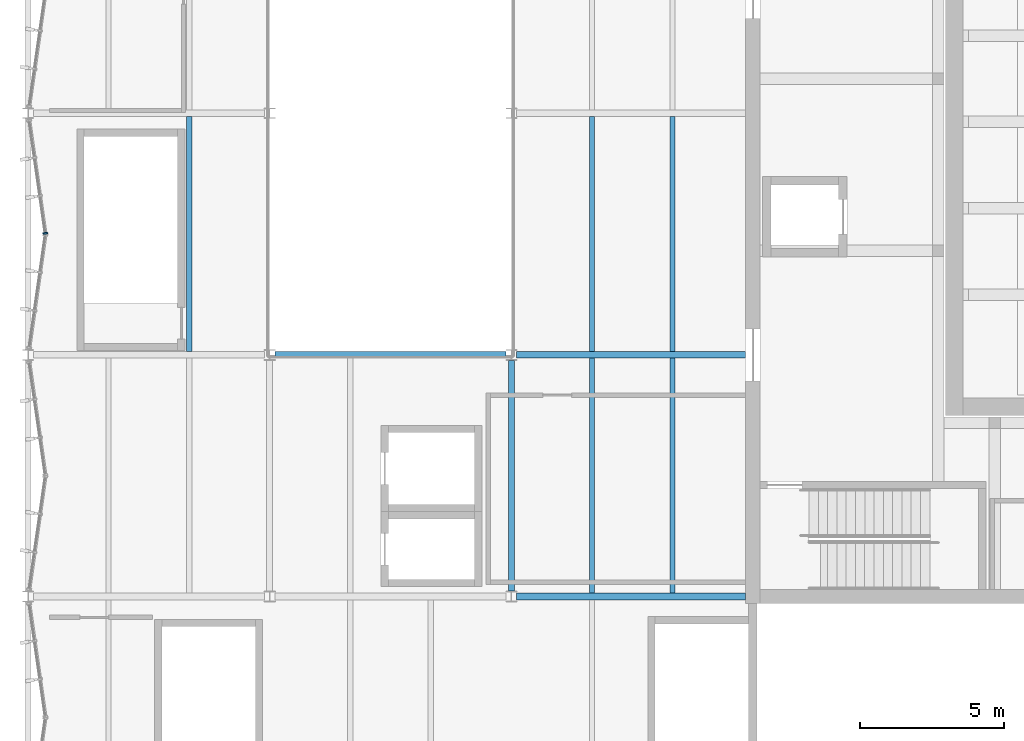
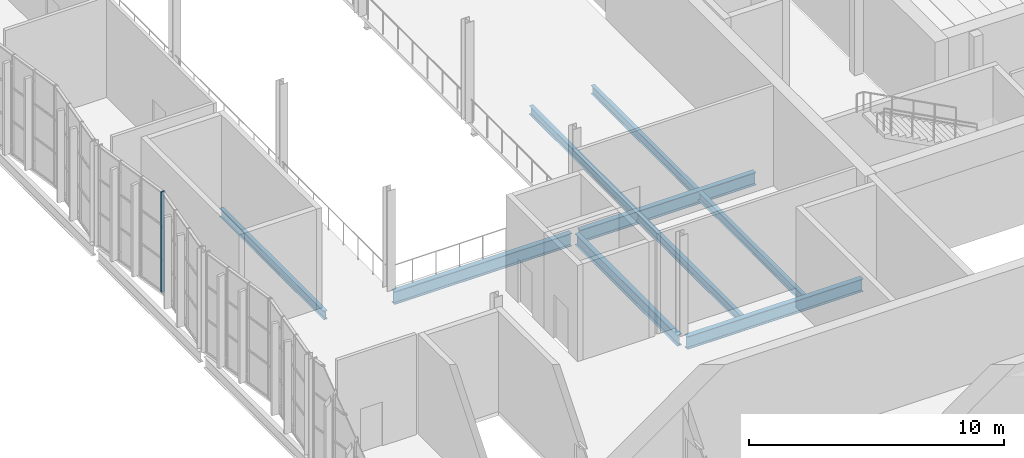
# One storey, part 21 of 116: 9 beams, 1 member, 1 element without a shape of its own.
"""IFC4 building model written with IfcOpenShell, lengths in metres."""

from ifc_helpers import new_model, si_unit, direction, frame, origin, origin_2d, place, context, subcontext, project, spatial, rectangle, i_section, extrude, material, material_profile, profile_set, type_object, element, aggregate, save


model = new_model("IFC4")

# Units and contexts
model_context = context("Model", 3, precision=1e-05, world=origin(), true_north=direction((0.0, 1.0)))
body_context = subcontext(model_context, "Body", "Model", "MODEL_VIEW")
ifc_project = project(units=[si_unit("LENGTHUNIT", "METRE"), si_unit("AREAUNIT", "SQUARE_METRE"), si_unit("VOLUMEUNIT", "CUBIC_METRE"), si_unit("PLANEANGLEUNIT", "RADIAN"), si_unit("MASSUNIT", "GRAM", prefix="KILO")], contexts=[model_context])

# Site, building, storey
site_placement = place(None, origin())
site = spatial("IfcSite", under=ifc_project, at=site_placement, CompositionType="ELEMENT")
building_placement = place(site_placement, origin())
building = spatial("IfcBuilding", under=site, at=building_placement, Name="Ljudholm Concert House", CompositionType="ELEMENT")
storey_placement = place(building_placement, frame((0.0, 0.0, 10.199951171875)))
storey = spatial("IfcBuildingStorey", under=building, at=storey_placement, Name="L02", CompositionType="ELEMENT", Elevation=10.199951171875)

# Curtain wall, member
ifc_material_1 = material(Name="Aluminium curtain wall with impact-rated laminated glass", Category="aluminium")
curtain_wall_type = type_object("IfcCurtainWallType", Name="CURTAIN WALL 1400", PredefinedType="NOTDEFINED", material=ifc_material_1)
curtain_wall_placement = place(storey_placement, origin())
curtain_wall = element("IfcCurtainWall", 1, at=curtain_wall_placement, inside=storey, type_object=curtain_wall_type, Name="Facade curtain wall", PredefinedType="NOTDEFINED")
ifc_material_2 = material(Name="Aluminium extrusion", Category="aluminium")
ifc_material_profile_1 = material_profile(ifc_material_2, rectangle(XDim=0.159912109375, YDim=0.06005859375, at=origin_2d()), Name="MULLION 60x160")
ifc_profile_set_1 = profile_set([ifc_material_profile_1], Name="Aluminium extrusion")
member_type = type_object("IfcMemberType", Name="MULLION 60x160", PredefinedType="MULLION", material=ifc_profile_set_1)
member_placement = place(storey_placement, frame((4.595703125, 67.02978515625, 0.0), z_axis=(0.0, 0.0, 1.0), x_axis=(-0.989949493647, -0.141421356338, 0.0)))
member = element("IfcMember", 2, at=member_placement, type_object=member_type, Name="Mullion", PredefinedType="MULLION", context=body_context, shape_type="SweptSolid", body=[
    extrude(rectangle(XDim=0.159912109375, YDim=0.06005859375, at=origin_2d()), origin(), (0.0, 0.0, 1.0), 4.800048828125),
])
aggregate(curtain_wall, [member])

# Beams
ifc_material_3 = material(Name="Steel ASTM A992", Category="steel")
ifc_material_profile_2 = material_profile(ifc_material_3, i_section(OverallWidth=0.177734375, OverallDepth=0.406494140625, WebThickness=0.0078125, FlangeThickness=0.012939453125, FilletRadius=0.01025390625, at=origin_2d()), Name="W16X40")
ifc_profile_set_2 = profile_set([ifc_material_profile_2], Name="Steel ASTM A992")
beam_type_1 = type_object("IfcBeamType", Name="STEEL BEAM W16X40", PredefinedType="BEAM", material=ifc_profile_set_2)
for number, where, z_axis, x_axis, name in (
    (3, (9.60009765625, 62.91455078125, -0.383056640625), (0.0, 1.0, 0.0), (-1.0, 0.0, 0.0), "Secondary beam"),
    (4, (23.60009765625, 54.5146484375, -0.383056640625), (0.0, 1.0, 0.0), (-1.0, 0.0, 0.0), "Secondary beam"),
    (5, (23.60009765625, 62.91455078125, -0.383056640625), (0.0, 1.0, 0.0), (-1.0, 0.0, 0.0), "Secondary beam"),
    (6, (26.39990234375, 54.5146484375, -0.383056640625), (0.0, 1.0, 0.0), (-1.0, 0.0, 0.0), "Secondary beam"),
    (7, (26.39990234375, 62.91455078125, -0.383056640625), (0.0, 1.0, 0.0), (-1.0, 0.0, 0.0), "Secondary beam"),
):
    element("IfcBeam", number, at=place(storey_placement, frame(where, z_axis=z_axis, x_axis=x_axis)), inside=storey, type_object=beam_type_1, Name=name, PredefinedType="BEAM", context=body_context, shape_type="SweptSolid", body=[
        extrude(i_section(OverallWidth=0.177734375, OverallDepth=0.406494140625, WebThickness=0.0078125, FlangeThickness=0.012939453125, FilletRadius=0.01025390625, at=origin_2d()), origin(), (0.0, 0.0, 1.0), 8.1708984375),
    ])
ifc_material_4 = material(Name="Steel ASTM A992", Category="steel")
ifc_material_profile_3 = material_profile(ifc_material_4, i_section(OverallWidth=0.209228515625, OverallDepth=0.533447265625, WebThickness=0.01025390625, FlangeThickness=0.015625, FilletRadius=0.012939453125, at=origin_2d()), Name="W21X62")
ifc_profile_set_3 = profile_set([ifc_material_profile_3], Name="Steel ASTM A992")
beam_type_2 = type_object("IfcBeamType", Name="STEEL BEAM W21X62", PredefinedType="BEAM", material=ifc_profile_set_3)
beam_1_placement = place(storey_placement, frame((20.800048828125, 54.586669921875, -0.446533203125), z_axis=(0.0, 1.0, 0.0), x_axis=(-1.0, 0.0, 0.0)))
element("IfcBeam", 8, at=beam_1_placement, inside=storey, type_object=beam_type_2, Name="Floor edge beam", PredefinedType="BEAM", context=body_context, shape_type="SweptSolid", body=[
    extrude(i_section(OverallWidth=0.209228515625, OverallDepth=0.533447265625, WebThickness=0.01025390625, FlangeThickness=0.015625, FilletRadius=0.012939453125, at=origin_2d()), origin(), (0.0, 0.0, 1.0), 8.026611328125),
])
ifc_material_5 = material(Name="Steel ASTM A992", Category="steel")
ifc_material_profile_4 = material_profile(ifc_material_5, i_section(OverallWidth=0.22900390625, OverallDepth=0.612060546875, WebThickness=0.011962890625, FlangeThickness=0.01953125, FilletRadius=0.0126953125, at=origin_2d()), Name="W24X84")
ifc_profile_set_4 = profile_set([ifc_material_profile_4], Name="Steel ASTM A992")
beam_type_3 = type_object("IfcBeamType", Name="STEEL BEAM W24X84", PredefinedType="BEAM", material=ifc_profile_set_4)
beam_2_placement = place(storey_placement, frame((20.986572265625, 54.39990234375, -0.486083984375), z_axis=(1.0, 0.0, 0.0), x_axis=(0.0, 1.0, 0.0)))
element("IfcBeam", 9, at=beam_2_placement, inside=storey, type_object=beam_type_3, Name="Floor girder", PredefinedType="BEAM", context=body_context, shape_type="SweptSolid", body=[
    extrude(i_section(OverallWidth=0.22900390625, OverallDepth=0.612060546875, WebThickness=0.011962890625, FlangeThickness=0.01953125, FilletRadius=0.0126953125, at=origin_2d()), origin(), (0.0, 0.0, 1.0), 7.96337890625),
])
beam_3_placement = place(storey_placement, frame((12.586669921875, 62.800048828125, -0.486083984375), z_axis=(1.0, 0.0, 0.0), x_axis=(0.0, 1.0, 0.0)))
element("IfcBeam", 10, at=beam_3_placement, inside=storey, type_object=beam_type_3, Name="Floor girder", PredefinedType="BEAM", context=body_context, shape_type="SweptSolid", body=[
    extrude(i_section(OverallWidth=0.22900390625, OverallDepth=0.612060546875, WebThickness=0.011962890625, FlangeThickness=0.01953125, FilletRadius=0.0126953125, at=origin_2d()), origin(), (0.0, 0.0, 1.0), 8.026611328125),
])
beam_4_placement = place(storey_placement, frame((20.986572265625, 62.800048828125, -0.486083984375), z_axis=(1.0, 0.0, 0.0), x_axis=(0.0, 1.0, 0.0)))
element("IfcBeam", 11, at=beam_4_placement, inside=storey, type_object=beam_type_3, Name="Floor girder", PredefinedType="BEAM", context=body_context, shape_type="SweptSolid", body=[
    extrude(i_section(OverallWidth=0.22900390625, OverallDepth=0.612060546875, WebThickness=0.011962890625, FlangeThickness=0.01953125, FilletRadius=0.0126953125, at=origin_2d()), origin(), (0.0, 0.0, 1.0), 7.96337890625),
])

save(model, "model.ifc")
